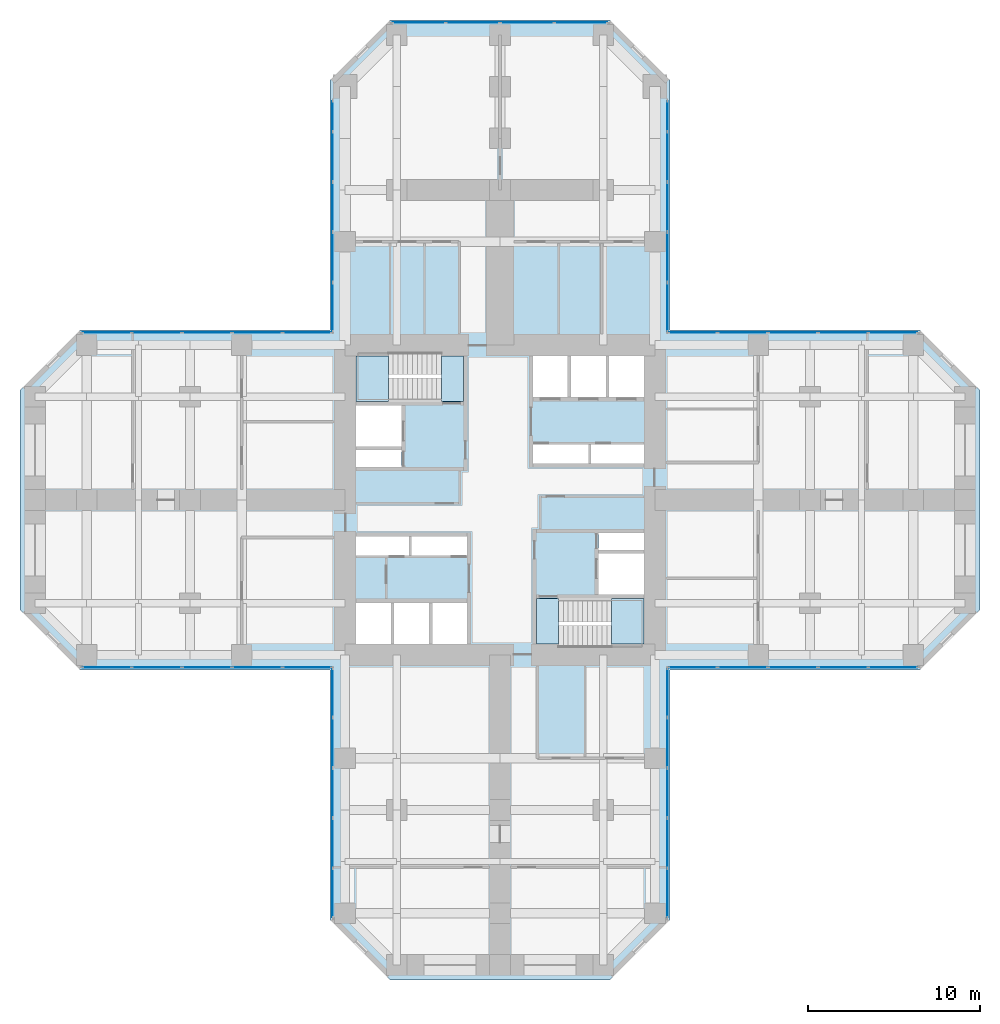
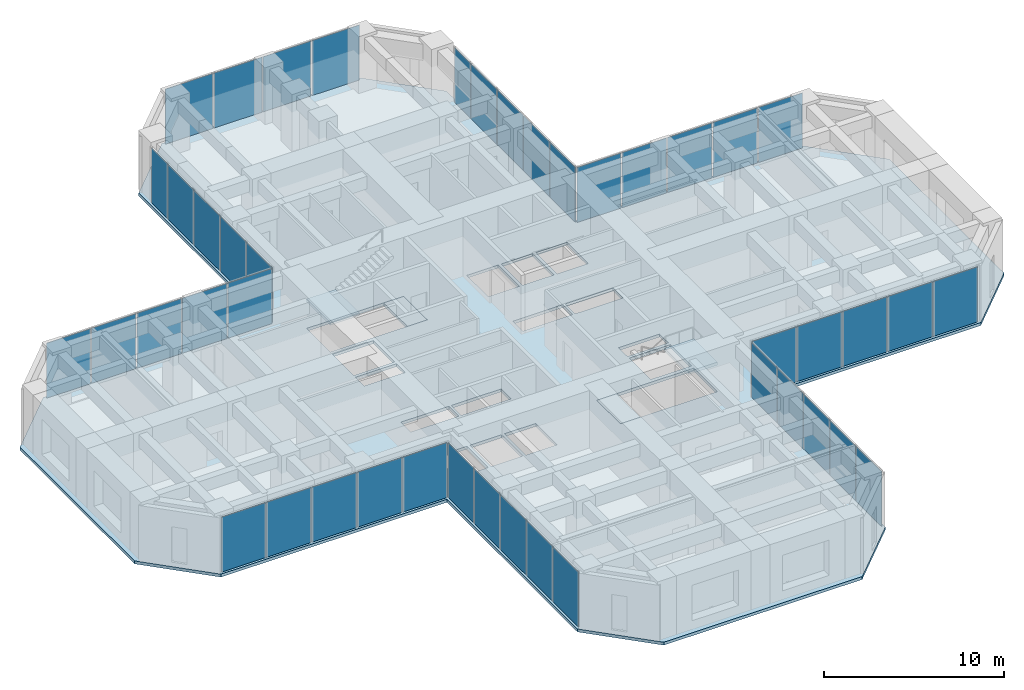
# One storey, part 7 of 12: 44 plates, 5 slabs, 11 elements without a shape of their own.
"""IFC4 building model written with IfcOpenShell, lengths in metres."""

from ifc_helpers import new_model, si_unit, direction, frame, origin, origin_2d, place, context, subcontext, project, spatial, polyline, rectangle, outline, extrude, material, layer, layer_set, type_object, element, aggregate, save


model = new_model("IFC4")

# Units and contexts
model_context = context("Model", 3, precision=1e-05, world=origin(), true_north=direction((0.0, 1.0)))
body_context = subcontext(model_context, "Body", "Model", "MODEL_VIEW")
ifc_project = project(units=[si_unit("LENGTHUNIT", "METRE"), si_unit("AREAUNIT", "SQUARE_METRE"), si_unit("VOLUMEUNIT", "CUBIC_METRE"), si_unit("PLANEANGLEUNIT", "RADIAN"), si_unit("MASSUNIT", "GRAM", prefix="KILO")], contexts=[model_context])

# Site, building, storey
site_placement = place(None, origin())
site = spatial("IfcSite", under=ifc_project, at=site_placement, CompositionType="ELEMENT")
building_placement = place(site_placement, origin())
building = spatial("IfcBuilding", under=site, at=building_placement, Name="Torre Cruceta", CompositionType="ELEMENT")
storey_placement = place(building_placement, frame((0.0, 0.0, 87.5)))
storey = spatial("IfcBuildingStorey", under=building, at=storey_placement, Name="L21", CompositionType="ELEMENT", Elevation=87.5)

# Curtain wall, plate
ifc_material_1 = material(Name="Aluminium unitised curtain wall", Category="aluminium")
curtain_wall_type = type_object("IfcCurtainWallType", Name="CURTAIN WALL CW-A OFFICE LOW RISE", PredefinedType="USERDEFINED", material=ifc_material_1)
curtain_wall_1_placement = place(storey_placement, origin())
curtain_wall_1 = element("IfcCurtainWall", 1, at=curtain_wall_1_placement, inside=storey, type_object=curtain_wall_type, Name="CW-A L21 E side 00", ObjectType="UNITISED", PredefinedType="USERDEFINED")
ifc_material_2 = material(Name="Laminated insulating glass unit, diagonal frit 50 %", Category="glass")
ifc_material_3 = material(Name="Laminated insulating glass unit, diagonal frit 50 %", Category="glass")
ifc_layer_1 = layer(ifc_material_3, 0.033935546875)
ifc_layer_set_1 = layer_set([ifc_layer_1], Name="Laminated insulating glass unit, diagonal frit 50 %")
plate_type_1 = type_object("IfcPlateType", Name="CW-A OPERABLE VENT PANEL 34", PredefinedType="CURTAIN_PANEL", material=ifc_layer_set_1)
plate_1_placement = place(storey_placement, frame((17.009033203125, -9.719970703125, 0.010009765625), z_axis=(0.0, 0.0, 1.0), x_axis=(1.0, 0.0, 0.0)))
plate_1 = element("IfcPlate", 2, at=plate_1_placement, type_object=plate_type_1, material=ifc_material_2, Name="CW-A vent 3", PredefinedType="CURTAIN_PANEL", context=body_context, shape_type="SweptSolid", body=[
    extrude(rectangle(XDim=2.8505859375, YDim=0.033935546875, at=origin_2d()), origin(), (0.0, 0.0, 1.0), 3.72509765625),
])

curtain_wall_2_placement = place(storey_placement, origin())
curtain_wall_2 = element("IfcCurtainWall", 3, at=curtain_wall_2_placement, inside=storey, type_object=curtain_wall_type, Name="CW-A L21 E side 04", ObjectType="UNITISED", PredefinedType="USERDEFINED")
plate_2_placement = place(storey_placement, frame((17.009033203125, 9.719970703125, 0.010009765625), z_axis=(0.0, 0.0, 1.0), x_axis=(-1.0, 0.0, 0.0)))
plate_2 = element("IfcPlate", 4, at=plate_2_placement, type_object=plate_type_1, material=ifc_material_2, Name="CW-A vent 3", PredefinedType="CURTAIN_PANEL", context=body_context, shape_type="SweptSolid", body=[
    extrude(rectangle(XDim=2.8505859375, YDim=0.033935546875, at=origin_2d()), origin(), (0.0, 0.0, 1.0), 3.72509765625),
])

curtain_wall_3_placement = place(storey_placement, origin())
curtain_wall_3 = element("IfcCurtainWall", 5, at=curtain_wall_3_placement, inside=storey, type_object=curtain_wall_type, Name="CW-A L21 N side 05", ObjectType="UNITISED", PredefinedType="USERDEFINED")
plate_3_placement = place(storey_placement, frame((9.719970703125, 17.009033203125, 0.010009765625), z_axis=(0.0, 0.0, 1.0), x_axis=(0.0, 1.0, 0.0)))
plate_3 = element("IfcPlate", 6, at=plate_3_placement, type_object=plate_type_1, material=ifc_material_2, Name="CW-A vent 3", PredefinedType="CURTAIN_PANEL", context=body_context, shape_type="SweptSolid", body=[
    extrude(rectangle(XDim=2.8505859375, YDim=0.033935546875, at=origin_2d()), origin(), (0.0, 0.0, 1.0), 3.72509765625),
])

curtain_wall_4_placement = place(storey_placement, origin())
curtain_wall_4 = element("IfcCurtainWall", 7, at=curtain_wall_4_placement, inside=storey, type_object=curtain_wall_type, Name="CW-A L21 N tip 07", ObjectType="UNITISED", PredefinedType="USERDEFINED")
plate_4_placement = place(storey_placement, frame((-1.574462890625, 27.719970703125, 0.010009765625), z_axis=(0.0, 0.0, 1.0), x_axis=(-1.0, 0.0, 0.0)))
plate_4 = element("IfcPlate", 8, at=plate_4_placement, type_object=plate_type_1, material=ifc_material_2, Name="CW-A vent 3", PredefinedType="CURTAIN_PANEL", context=body_context, shape_type="SweptSolid", body=[
    extrude(rectangle(XDim=3.084228515625, YDim=0.033935546875, at=origin_2d()), origin(), (0.0, 0.0, 1.0), 3.72509765625),
])

curtain_wall_5_placement = place(storey_placement, origin())
curtain_wall_5 = element("IfcCurtainWall", 9, at=curtain_wall_5_placement, inside=storey, type_object=curtain_wall_type, Name="CW-A L21 N side 09", ObjectType="UNITISED", PredefinedType="USERDEFINED")
plate_5_placement = place(storey_placement, frame((-9.719970703125, 17.009033203125, 0.010009765625), z_axis=(0.0, 0.0, 1.0), x_axis=(0.0, -1.0, 0.0)))
plate_5 = element("IfcPlate", 10, at=plate_5_placement, type_object=plate_type_1, material=ifc_material_2, Name="CW-A vent 3", PredefinedType="CURTAIN_PANEL", context=body_context, shape_type="SweptSolid", body=[
    extrude(rectangle(XDim=2.8505859375, YDim=0.033935546875, at=origin_2d()), origin(), (0.0, 0.0, 1.0), 3.72509765625),
])

curtain_wall_6_placement = place(storey_placement, origin())
curtain_wall_6 = element("IfcCurtainWall", 11, at=curtain_wall_6_placement, inside=storey, type_object=curtain_wall_type, Name="CW-A L21 W side 10", ObjectType="UNITISED", PredefinedType="USERDEFINED")
plate_6_placement = place(storey_placement, frame((-17.009033203125, 9.719970703125, 0.010009765625), z_axis=(0.0, 0.0, 1.0), x_axis=(-1.0, 0.0, 0.0)))
plate_6 = element("IfcPlate", 12, at=plate_6_placement, type_object=plate_type_1, material=ifc_material_2, Name="CW-A vent 3", PredefinedType="CURTAIN_PANEL", context=body_context, shape_type="SweptSolid", body=[
    extrude(rectangle(XDim=2.8505859375, YDim=0.033935546875, at=origin_2d()), origin(), (0.0, 0.0, 1.0), 3.72509765625),
])

curtain_wall_7_placement = place(storey_placement, origin())
curtain_wall_7 = element("IfcCurtainWall", 13, at=curtain_wall_7_placement, inside=storey, type_object=curtain_wall_type, Name="CW-A L21 W side 14", ObjectType="UNITISED", PredefinedType="USERDEFINED")
plate_7_placement = place(storey_placement, frame((-17.009033203125, -9.719970703125, 0.010009765625), z_axis=(0.0, 0.0, 1.0), x_axis=(1.0, 0.0, 0.0)))
plate_7 = element("IfcPlate", 14, at=plate_7_placement, type_object=plate_type_1, material=ifc_material_2, Name="CW-A vent 3", PredefinedType="CURTAIN_PANEL", context=body_context, shape_type="SweptSolid", body=[
    extrude(rectangle(XDim=2.8505859375, YDim=0.033935546875, at=origin_2d()), origin(), (0.0, 0.0, 1.0), 3.72509765625),
])

curtain_wall_8_placement = place(storey_placement, origin())
curtain_wall_8 = element("IfcCurtainWall", 15, at=curtain_wall_8_placement, inside=storey, type_object=curtain_wall_type, Name="CW-A L21 S side 15", ObjectType="UNITISED", PredefinedType="USERDEFINED")
plate_8_placement = place(storey_placement, frame((-9.719970703125, -17.009033203125, 0.010009765625), z_axis=(0.0, 0.0, 1.0), x_axis=(0.0, -1.0, 0.0)))
plate_8 = element("IfcPlate", 16, at=plate_8_placement, type_object=plate_type_1, material=ifc_material_2, Name="CW-A vent 3", PredefinedType="CURTAIN_PANEL", context=body_context, shape_type="SweptSolid", body=[
    extrude(rectangle(XDim=2.8505859375, YDim=0.033935546875, at=origin_2d()), origin(), (0.0, 0.0, 1.0), 3.72509765625),
])

curtain_wall_9_placement = place(storey_placement, origin())
curtain_wall_9 = element("IfcCurtainWall", 17, at=curtain_wall_9_placement, inside=storey, type_object=curtain_wall_type, Name="CW-A L21 S side 19", ObjectType="UNITISED", PredefinedType="USERDEFINED")
plate_9_placement = place(storey_placement, frame((9.719970703125, -17.009033203125, 0.010009765625), z_axis=(0.0, 0.0, 1.0), x_axis=(0.0, 1.0, 0.0)))
plate_9 = element("IfcPlate", 18, at=plate_9_placement, type_object=plate_type_1, material=ifc_material_2, Name="CW-A vent 3", PredefinedType="CURTAIN_PANEL", context=body_context, shape_type="SweptSolid", body=[
    extrude(rectangle(XDim=2.8505859375, YDim=0.033935546875, at=origin_2d()), origin(), (0.0, 0.0, 1.0), 3.72509765625),
])

# Plate
ifc_material_4 = material(Name="Laminated insulating glass unit, diagonal frit 50 %", Category="glass")
ifc_layer_2 = layer(ifc_material_4, 0.033935546875)
ifc_layer_set_2 = layer_set([ifc_layer_2], Name="Laminated insulating glass unit, diagonal frit 50 %")
plate_type_2 = type_object("IfcPlateType", Name="CW-A PANEL 34", PredefinedType="CURTAIN_PANEL", material=ifc_layer_set_2)
plate_10_placement = place(storey_placement, frame((11.194091796875, -9.719970703125, 0.010009765625), z_axis=(0.0, 0.0, 1.0), x_axis=(1.0, 0.0, 0.0)))
plate_10 = element("IfcPlate", 19, at=plate_10_placement, type_object=plate_type_2, material=ifc_material_2, Name="CW-A panel 1", PredefinedType="CURTAIN_PANEL", context=body_context, shape_type="SweptSolid", body=[
    extrude(rectangle(XDim=2.818115234375, YDim=0.033935546875, at=origin_2d()), origin(), (0.0, 0.0, 1.0), 3.72509765625),
])

plate_11_placement = place(storey_placement, frame((14.093505859375, -9.719970703125, 0.010009765625), z_axis=(0.0, 0.0, 1.0), x_axis=(1.0, 0.0, 0.0)))
plate_11 = element("IfcPlate", 20, at=plate_11_placement, type_object=plate_type_2, material=ifc_material_2, Name="CW-A panel 2", PredefinedType="CURTAIN_PANEL", context=body_context, shape_type="SweptSolid", body=[
    extrude(rectangle(XDim=2.8505859375, YDim=0.033935546875, at=origin_2d()), origin(), (0.0, 0.0, 1.0), 3.72509765625),
])

ifc_material_5 = material(Name="Laminated insulating glass unit, low-iron clear", Category="glass")
plate_12_placement = place(storey_placement, frame((19.9248046875, -9.719970703125, 0.010009765625), z_axis=(0.0, 0.0, 1.0), x_axis=(1.0, 0.0, 0.0)))
plate_12 = element("IfcPlate", 21, at=plate_12_placement, type_object=plate_type_2, material=ifc_material_5, Name="CW-A panel 4", PredefinedType="CURTAIN_PANEL", context=body_context, shape_type="SweptSolid", body=[
    extrude(rectangle(XDim=2.8505859375, YDim=0.033935546875, at=origin_2d()), origin(), (0.0, 0.0, 1.0), 3.72509765625),
])

plate_13_placement = place(storey_placement, frame((22.82421875, -9.719970703125, 0.010009765625), z_axis=(0.0, 0.0, 1.0), x_axis=(1.0, 0.0, 0.0)))
plate_13 = element("IfcPlate", 22, at=plate_13_placement, type_object=plate_type_2, material=ifc_material_5, Name="CW-A panel 5", PredefinedType="CURTAIN_PANEL", context=body_context, shape_type="SweptSolid", body=[
    extrude(rectangle(XDim=2.818115234375, YDim=0.033935546875, at=origin_2d()), origin(), (0.0, 0.0, 1.0), 3.72509765625),
])

aggregate(curtain_wall_1, [plate_10, plate_11, plate_1, plate_12, plate_13])

plate_14_placement = place(storey_placement, frame((22.82421875, 9.719970703125, 0.010009765625), z_axis=(0.0, 0.0, 1.0), x_axis=(-1.0, 0.0, 0.0)))
plate_14 = element("IfcPlate", 23, at=plate_14_placement, type_object=plate_type_2, material=ifc_material_2, Name="CW-A panel 1", PredefinedType="CURTAIN_PANEL", context=body_context, shape_type="SweptSolid", body=[
    extrude(rectangle(XDim=2.818115234375, YDim=0.033935546875, at=origin_2d()), origin(), (0.0, 0.0, 1.0), 3.72509765625),
])

plate_15_placement = place(storey_placement, frame((19.9248046875, 9.719970703125, 0.010009765625), z_axis=(0.0, 0.0, 1.0), x_axis=(-1.0, 0.0, 0.0)))
plate_15 = element("IfcPlate", 24, at=plate_15_placement, type_object=plate_type_2, material=ifc_material_2, Name="CW-A panel 2", PredefinedType="CURTAIN_PANEL", context=body_context, shape_type="SweptSolid", body=[
    extrude(rectangle(XDim=2.8505859375, YDim=0.033935546875, at=origin_2d()), origin(), (0.0, 0.0, 1.0), 3.72509765625),
])

plate_16_placement = place(storey_placement, frame((14.093505859375, 9.719970703125, 0.010009765625), z_axis=(0.0, 0.0, 1.0), x_axis=(-1.0, 0.0, 0.0)))
plate_16 = element("IfcPlate", 25, at=plate_16_placement, type_object=plate_type_2, material=ifc_material_5, Name="CW-A panel 4", PredefinedType="CURTAIN_PANEL", context=body_context, shape_type="SweptSolid", body=[
    extrude(rectangle(XDim=2.8505859375, YDim=0.033935546875, at=origin_2d()), origin(), (0.0, 0.0, 1.0), 3.72509765625),
])

plate_17_placement = place(storey_placement, frame((11.194091796875, 9.719970703125, 0.010009765625), z_axis=(0.0, 0.0, 1.0), x_axis=(-1.0, 0.0, 0.0)))
plate_17 = element("IfcPlate", 26, at=plate_17_placement, type_object=plate_type_2, material=ifc_material_5, Name="CW-A panel 5", PredefinedType="CURTAIN_PANEL", context=body_context, shape_type="SweptSolid", body=[
    extrude(rectangle(XDim=2.818115234375, YDim=0.033935546875, at=origin_2d()), origin(), (0.0, 0.0, 1.0), 3.72509765625),
])

aggregate(curtain_wall_2, [plate_14, plate_15, plate_2, plate_16, plate_17])

plate_18_placement = place(storey_placement, frame((9.719970703125, 11.194091796875, 0.010009765625), z_axis=(0.0, 0.0, 1.0), x_axis=(0.0, 1.0, 0.0)))
plate_18 = element("IfcPlate", 27, at=plate_18_placement, type_object=plate_type_2, material=ifc_material_2, Name="CW-A panel 1", PredefinedType="CURTAIN_PANEL", context=body_context, shape_type="SweptSolid", body=[
    extrude(rectangle(XDim=2.818115234375, YDim=0.033935546875, at=origin_2d()), origin(), (0.0, 0.0, 1.0), 3.72509765625),
])

plate_19_placement = place(storey_placement, frame((9.719970703125, 14.093505859375, 0.010009765625), z_axis=(0.0, 0.0, 1.0), x_axis=(0.0, 1.0, 0.0)))
plate_19 = element("IfcPlate", 28, at=plate_19_placement, type_object=plate_type_2, material=ifc_material_2, Name="CW-A panel 2", PredefinedType="CURTAIN_PANEL", context=body_context, shape_type="SweptSolid", body=[
    extrude(rectangle(XDim=2.8505859375, YDim=0.033935546875, at=origin_2d()), origin(), (0.0, 0.0, 1.0), 3.72509765625),
])

plate_20_placement = place(storey_placement, frame((9.719970703125, 19.9248046875, 0.010009765625), z_axis=(0.0, 0.0, 1.0), x_axis=(0.0, 1.0, 0.0)))
plate_20 = element("IfcPlate", 29, at=plate_20_placement, type_object=plate_type_2, material=ifc_material_5, Name="CW-A panel 4", PredefinedType="CURTAIN_PANEL", context=body_context, shape_type="SweptSolid", body=[
    extrude(rectangle(XDim=2.8505859375, YDim=0.033935546875, at=origin_2d()), origin(), (0.0, 0.0, 1.0), 3.72509765625),
])

plate_21_placement = place(storey_placement, frame((9.719970703125, 22.290771484375, 0.010009765625), z_axis=(0.0, 0.0, 1.0), x_axis=(0.0, 1.0, 0.0)))
plate_21 = element("IfcPlate", 30, at=plate_21_placement, type_object=plate_type_2, material=ifc_material_5, Name="CW-A panel 5", PredefinedType="CURTAIN_PANEL", context=body_context, shape_type="SweptSolid", body=[
    extrude(rectangle(XDim=1.75146484375, YDim=0.033935546875, at=origin_2d()), origin(), (0.0, 0.0, 1.0), 3.72509765625),
])

aggregate(curtain_wall_3, [plate_18, plate_19, plate_3, plate_20, plate_21])

plate_22_placement = place(storey_placement, frame((4.70751953125, 27.719970703125, 0.010009765625), z_axis=(0.0, 0.0, 1.0), x_axis=(-1.0, 0.0, 0.0)))
plate_22 = element("IfcPlate", 31, at=plate_22_placement, type_object=plate_type_2, material=ifc_material_2, Name="CW-A panel 1", PredefinedType="CURTAIN_PANEL", context=body_context, shape_type="SweptSolid", body=[
    extrude(rectangle(XDim=3.051513671875, YDim=0.033935546875, at=origin_2d()), origin(), (0.0, 0.0, 1.0), 3.72509765625),
])

plate_23_placement = place(storey_placement, frame((1.574462890625, 27.719970703125, 0.010009765625), z_axis=(0.0, 0.0, 1.0), x_axis=(-1.0, 0.0, 0.0)))
plate_23 = element("IfcPlate", 32, at=plate_23_placement, type_object=plate_type_2, material=ifc_material_2, Name="CW-A panel 2", PredefinedType="CURTAIN_PANEL", context=body_context, shape_type="SweptSolid", body=[
    extrude(rectangle(XDim=3.084228515625, YDim=0.033935546875, at=origin_2d()), origin(), (0.0, 0.0, 1.0), 3.72509765625),
])

plate_24_placement = place(storey_placement, frame((-4.70751953125, 27.719970703125, 0.010009765625), z_axis=(0.0, 0.0, 1.0), x_axis=(-1.0, 0.0, 0.0)))
plate_24 = element("IfcPlate", 33, at=plate_24_placement, type_object=plate_type_2, material=ifc_material_5, Name="CW-A panel 4", PredefinedType="CURTAIN_PANEL", context=body_context, shape_type="SweptSolid", body=[
    extrude(rectangle(XDim=3.051513671875, YDim=0.033935546875, at=origin_2d()), origin(), (0.0, 0.0, 1.0), 3.72509765625),
])

aggregate(curtain_wall_4, [plate_22, plate_23, plate_4, plate_24])

plate_25_placement = place(storey_placement, frame((-9.719970703125, 22.290771484375, 0.010009765625), z_axis=(0.0, 0.0, 1.0), x_axis=(0.0, -1.0, 0.0)))
plate_25 = element("IfcPlate", 34, at=plate_25_placement, type_object=plate_type_2, material=ifc_material_2, Name="CW-A panel 1", PredefinedType="CURTAIN_PANEL", context=body_context, shape_type="SweptSolid", body=[
    extrude(rectangle(XDim=1.75146484375, YDim=0.033935546875, at=origin_2d()), origin(), (0.0, 0.0, 1.0), 3.72509765625),
])

plate_26_placement = place(storey_placement, frame((-9.719970703125, 19.9248046875, 0.010009765625), z_axis=(0.0, 0.0, 1.0), x_axis=(0.0, -1.0, 0.0)))
plate_26 = element("IfcPlate", 35, at=plate_26_placement, type_object=plate_type_2, material=ifc_material_2, Name="CW-A panel 2", PredefinedType="CURTAIN_PANEL", context=body_context, shape_type="SweptSolid", body=[
    extrude(rectangle(XDim=2.8505859375, YDim=0.033935546875, at=origin_2d()), origin(), (0.0, 0.0, 1.0), 3.72509765625),
])

plate_27_placement = place(storey_placement, frame((-9.719970703125, 14.093505859375, 0.010009765625), z_axis=(0.0, 0.0, 1.0), x_axis=(0.0, -1.0, 0.0)))
plate_27 = element("IfcPlate", 36, at=plate_27_placement, type_object=plate_type_2, material=ifc_material_5, Name="CW-A panel 4", PredefinedType="CURTAIN_PANEL", context=body_context, shape_type="SweptSolid", body=[
    extrude(rectangle(XDim=2.8505859375, YDim=0.033935546875, at=origin_2d()), origin(), (0.0, 0.0, 1.0), 3.72509765625),
])

plate_28_placement = place(storey_placement, frame((-9.719970703125, 11.194091796875, 0.010009765625), z_axis=(0.0, 0.0, 1.0), x_axis=(0.0, -1.0, 0.0)))
plate_28 = element("IfcPlate", 37, at=plate_28_placement, type_object=plate_type_2, material=ifc_material_5, Name="CW-A panel 5", PredefinedType="CURTAIN_PANEL", context=body_context, shape_type="SweptSolid", body=[
    extrude(rectangle(XDim=2.818115234375, YDim=0.033935546875, at=origin_2d()), origin(), (0.0, 0.0, 1.0), 3.72509765625),
])

aggregate(curtain_wall_5, [plate_25, plate_26, plate_5, plate_27, plate_28])

plate_29_placement = place(storey_placement, frame((-11.194091796875, 9.719970703125, 0.010009765625), z_axis=(0.0, 0.0, 1.0), x_axis=(-1.0, 0.0, 0.0)))
plate_29 = element("IfcPlate", 38, at=plate_29_placement, type_object=plate_type_2, material=ifc_material_2, Name="CW-A panel 1", PredefinedType="CURTAIN_PANEL", context=body_context, shape_type="SweptSolid", body=[
    extrude(rectangle(XDim=2.818115234375, YDim=0.033935546875, at=origin_2d()), origin(), (0.0, 0.0, 1.0), 3.72509765625),
])

plate_30_placement = place(storey_placement, frame((-14.093505859375, 9.719970703125, 0.010009765625), z_axis=(0.0, 0.0, 1.0), x_axis=(-1.0, 0.0, 0.0)))
plate_30 = element("IfcPlate", 39, at=plate_30_placement, type_object=plate_type_2, material=ifc_material_2, Name="CW-A panel 2", PredefinedType="CURTAIN_PANEL", context=body_context, shape_type="SweptSolid", body=[
    extrude(rectangle(XDim=2.8505859375, YDim=0.033935546875, at=origin_2d()), origin(), (0.0, 0.0, 1.0), 3.72509765625),
])

plate_31_placement = place(storey_placement, frame((-19.9248046875, 9.719970703125, 0.010009765625), z_axis=(0.0, 0.0, 1.0), x_axis=(-1.0, 0.0, 0.0)))
plate_31 = element("IfcPlate", 40, at=plate_31_placement, type_object=plate_type_2, material=ifc_material_5, Name="CW-A panel 4", PredefinedType="CURTAIN_PANEL", context=body_context, shape_type="SweptSolid", body=[
    extrude(rectangle(XDim=2.8505859375, YDim=0.033935546875, at=origin_2d()), origin(), (0.0, 0.0, 1.0), 3.72509765625),
])

plate_32_placement = place(storey_placement, frame((-22.82421875, 9.719970703125, 0.010009765625), z_axis=(0.0, 0.0, 1.0), x_axis=(-1.0, 0.0, 0.0)))
plate_32 = element("IfcPlate", 41, at=plate_32_placement, type_object=plate_type_2, material=ifc_material_5, Name="CW-A panel 5", PredefinedType="CURTAIN_PANEL", context=body_context, shape_type="SweptSolid", body=[
    extrude(rectangle(XDim=2.818115234375, YDim=0.033935546875, at=origin_2d()), origin(), (0.0, 0.0, 1.0), 3.72509765625),
])

aggregate(curtain_wall_6, [plate_29, plate_30, plate_6, plate_31, plate_32])

plate_33_placement = place(storey_placement, frame((-22.82421875, -9.719970703125, 0.010009765625), z_axis=(0.0, 0.0, 1.0), x_axis=(1.0, 0.0, 0.0)))
plate_33 = element("IfcPlate", 42, at=plate_33_placement, type_object=plate_type_2, material=ifc_material_2, Name="CW-A panel 1", PredefinedType="CURTAIN_PANEL", context=body_context, shape_type="SweptSolid", body=[
    extrude(rectangle(XDim=2.818115234375, YDim=0.033935546875, at=origin_2d()), origin(), (0.0, 0.0, 1.0), 3.72509765625),
])

plate_34_placement = place(storey_placement, frame((-19.9248046875, -9.719970703125, 0.010009765625), z_axis=(0.0, 0.0, 1.0), x_axis=(1.0, 0.0, 0.0)))
plate_34 = element("IfcPlate", 43, at=plate_34_placement, type_object=plate_type_2, material=ifc_material_2, Name="CW-A panel 2", PredefinedType="CURTAIN_PANEL", context=body_context, shape_type="SweptSolid", body=[
    extrude(rectangle(XDim=2.8505859375, YDim=0.033935546875, at=origin_2d()), origin(), (0.0, 0.0, 1.0), 3.72509765625),
])

plate_35_placement = place(storey_placement, frame((-14.093505859375, -9.719970703125, 0.010009765625), z_axis=(0.0, 0.0, 1.0), x_axis=(1.0, 0.0, 0.0)))
plate_35 = element("IfcPlate", 44, at=plate_35_placement, type_object=plate_type_2, material=ifc_material_5, Name="CW-A panel 4", PredefinedType="CURTAIN_PANEL", context=body_context, shape_type="SweptSolid", body=[
    extrude(rectangle(XDim=2.8505859375, YDim=0.033935546875, at=origin_2d()), origin(), (0.0, 0.0, 1.0), 3.72509765625),
])

plate_36_placement = place(storey_placement, frame((-11.194091796875, -9.719970703125, 0.010009765625), z_axis=(0.0, 0.0, 1.0), x_axis=(1.0, 0.0, 0.0)))
plate_36 = element("IfcPlate", 45, at=plate_36_placement, type_object=plate_type_2, material=ifc_material_5, Name="CW-A panel 5", PredefinedType="CURTAIN_PANEL", context=body_context, shape_type="SweptSolid", body=[
    extrude(rectangle(XDim=2.818115234375, YDim=0.033935546875, at=origin_2d()), origin(), (0.0, 0.0, 1.0), 3.72509765625),
])

aggregate(curtain_wall_7, [plate_33, plate_34, plate_7, plate_35, plate_36])

plate_37_placement = place(storey_placement, frame((-9.719970703125, -11.194091796875, 0.010009765625), z_axis=(0.0, 0.0, 1.0), x_axis=(0.0, -1.0, 0.0)))
plate_37 = element("IfcPlate", 46, at=plate_37_placement, type_object=plate_type_2, material=ifc_material_2, Name="CW-A panel 1", PredefinedType="CURTAIN_PANEL", context=body_context, shape_type="SweptSolid", body=[
    extrude(rectangle(XDim=2.818115234375, YDim=0.033935546875, at=origin_2d()), origin(), (0.0, 0.0, 1.0), 3.72509765625),
])

plate_38_placement = place(storey_placement, frame((-9.719970703125, -14.093505859375, 0.010009765625), z_axis=(0.0, 0.0, 1.0), x_axis=(0.0, -1.0, 0.0)))
plate_38 = element("IfcPlate", 47, at=plate_38_placement, type_object=plate_type_2, material=ifc_material_2, Name="CW-A panel 2", PredefinedType="CURTAIN_PANEL", context=body_context, shape_type="SweptSolid", body=[
    extrude(rectangle(XDim=2.8505859375, YDim=0.033935546875, at=origin_2d()), origin(), (0.0, 0.0, 1.0), 3.72509765625),
])

plate_39_placement = place(storey_placement, frame((-9.719970703125, -19.9248046875, 0.010009765625), z_axis=(0.0, 0.0, 1.0), x_axis=(0.0, -1.0, 0.0)))
plate_39 = element("IfcPlate", 48, at=plate_39_placement, type_object=plate_type_2, material=ifc_material_5, Name="CW-A panel 4", PredefinedType="CURTAIN_PANEL", context=body_context, shape_type="SweptSolid", body=[
    extrude(rectangle(XDim=2.8505859375, YDim=0.033935546875, at=origin_2d()), origin(), (0.0, 0.0, 1.0), 3.72509765625),
])

plate_40_placement = place(storey_placement, frame((-9.719970703125, -22.82421875, 0.010009765625), z_axis=(0.0, 0.0, 1.0), x_axis=(0.0, -1.0, 0.0)))
plate_40 = element("IfcPlate", 49, at=plate_40_placement, type_object=plate_type_2, material=ifc_material_5, Name="CW-A panel 5", PredefinedType="CURTAIN_PANEL", context=body_context, shape_type="SweptSolid", body=[
    extrude(rectangle(XDim=2.818115234375, YDim=0.033935546875, at=origin_2d()), origin(), (0.0, 0.0, 1.0), 3.72509765625),
])

aggregate(curtain_wall_8, [plate_37, plate_38, plate_8, plate_39, plate_40])

plate_41_placement = place(storey_placement, frame((9.719970703125, -22.82421875, 0.010009765625), z_axis=(0.0, 0.0, 1.0), x_axis=(0.0, 1.0, 0.0)))
plate_41 = element("IfcPlate", 50, at=plate_41_placement, type_object=plate_type_2, material=ifc_material_2, Name="CW-A panel 1", PredefinedType="CURTAIN_PANEL", context=body_context, shape_type="SweptSolid", body=[
    extrude(rectangle(XDim=2.818115234375, YDim=0.033935546875, at=origin_2d()), origin(), (0.0, 0.0, 1.0), 3.72509765625),
])

plate_42_placement = place(storey_placement, frame((9.719970703125, -19.9248046875, 0.010009765625), z_axis=(0.0, 0.0, 1.0), x_axis=(0.0, 1.0, 0.0)))
plate_42 = element("IfcPlate", 51, at=plate_42_placement, type_object=plate_type_2, material=ifc_material_2, Name="CW-A panel 2", PredefinedType="CURTAIN_PANEL", context=body_context, shape_type="SweptSolid", body=[
    extrude(rectangle(XDim=2.8505859375, YDim=0.033935546875, at=origin_2d()), origin(), (0.0, 0.0, 1.0), 3.72509765625),
])

plate_43_placement = place(storey_placement, frame((9.719970703125, -14.093505859375, 0.010009765625), z_axis=(0.0, 0.0, 1.0), x_axis=(0.0, 1.0, 0.0)))
plate_43 = element("IfcPlate", 52, at=plate_43_placement, type_object=plate_type_2, material=ifc_material_5, Name="CW-A panel 4", PredefinedType="CURTAIN_PANEL", context=body_context, shape_type="SweptSolid", body=[
    extrude(rectangle(XDim=2.8505859375, YDim=0.033935546875, at=origin_2d()), origin(), (0.0, 0.0, 1.0), 3.72509765625),
])

plate_44_placement = place(storey_placement, frame((9.719970703125, -11.194091796875, 0.010009765625), z_axis=(0.0, 0.0, 1.0), x_axis=(0.0, 1.0, 0.0)))
plate_44 = element("IfcPlate", 53, at=plate_44_placement, type_object=plate_type_2, material=ifc_material_5, Name="CW-A panel 5", PredefinedType="CURTAIN_PANEL", context=body_context, shape_type="SweptSolid", body=[
    extrude(rectangle(XDim=2.818115234375, YDim=0.033935546875, at=origin_2d()), origin(), (0.0, 0.0, 1.0), 3.72509765625),
])

aggregate(curtain_wall_9, [plate_41, plate_42, plate_9, plate_43, plate_44])

# Slab
ifc_material_6 = material(Name="Concrete G35 (fck 35 MPa)", Category="concrete")
ifc_layer_3 = layer(ifc_material_6, 0.199951171875)
ifc_layer_set_3 = layer_set([ifc_layer_3], Name="Concrete G35 (fck 35 MPa)")
slab_type_1 = type_object("IfcSlabType", Name="FLOOR SLAB 200", PredefinedType="FLOOR", material=ifc_layer_set_3)
slab_1_placement = place(storey_placement, frame((0.0, 0.0, -0.199951171875)))
element("IfcSlab", 54, at=slab_1_placement, inside=storey, type_object=slab_type_1, Name="Floor Slab L21", PredefinedType="FLOOR", context=body_context, shape_type="SweptSolid", body=[
    extrude(outline(polyline([(9.8701171875, -9.8701171875), (9.8701171875, -24.3603515625), (6.3603515625, -27.8701171875), (-6.3603515625, -27.8701171875), (-9.8701171875, -24.3603515625), (-9.8701171875, -9.8701171875), (-24.3603515625, -9.8701171875), (-27.8701171875, -6.3603515625), (-27.8701171875, 6.3603515625), (-24.3603515625, 9.8701171875), (-9.8701171875, 9.8701171875), (-9.8701171875, 24.3603515625), (-6.3603515625, 27.8701171875), (6.3603515625, 27.8701171875), (9.8701171875, 24.3603515625), (9.8701171875, 9.8701171875), (24.3603515625, 9.8701171875), (27.8701171875, 6.3603515625), (27.8701171875, -6.3603515625), (24.3603515625, -9.8701171875), (9.8701171875, -9.8701171875)]), holes=[polyline([(1.925048828125, 5.97509765625), (3.933349609375, 5.97509765625), (3.933349609375, 8.35009765625), (1.925048828125, 8.35009765625), (1.925048828125, 5.97509765625)]), polyline([(4.13330078125, 5.97509765625), (6.1416015625, 5.97509765625), (6.1416015625, 8.35009765625), (4.13330078125, 8.35009765625), (4.13330078125, 5.97509765625)]), polyline([(6.341552734375, 5.97509765625), (8.35009765625, 5.97509765625), (8.35009765625, 8.35009765625), (6.341552734375, 8.35009765625), (6.341552734375, 5.97509765625)]), polyline([(1.925048828125, 2.125), (5.125, 2.125), (5.125, 3.22509765625), (1.925048828125, 3.22509765625), (1.925048828125, 2.125)]), polyline([(5.27490234375, 2.125), (8.35009765625, 2.125), (8.35009765625, 3.22509765625), (5.27490234375, 3.22509765625), (5.27490234375, 2.125)]), polyline([(-8.35009765625, 3.10009765625), (-5.72509765625, 3.10009765625), (-5.72509765625, 5.47509765625), (-8.35009765625, 5.47509765625), (-8.35009765625, 3.10009765625)]), polyline([(-8.35009765625, 1.925048828125), (-5.72509765625, 1.925048828125), (-5.72509765625, 2.89990234375), (-8.35009765625, 2.89990234375), (-8.35009765625, 1.925048828125)]), polyline([(-3.933349609375, -8.35009765625), (-1.925048828125, -8.35009765625), (-1.925048828125, -5.97509765625), (-3.933349609375, -5.97509765625), (-3.933349609375, -8.35009765625)]), polyline([(-6.1416015625, -8.35009765625), (-4.13330078125, -8.35009765625), (-4.13330078125, -5.97509765625), (-6.1416015625, -5.97509765625), (-6.1416015625, -8.35009765625)]), polyline([(-8.35009765625, -8.35009765625), (-6.341552734375, -8.35009765625), (-6.341552734375, -5.97509765625), (-8.35009765625, -5.97509765625), (-8.35009765625, -8.35009765625)]), polyline([(-5.125, -3.22509765625), (-1.925048828125, -3.22509765625), (-1.925048828125, -2.125), (-5.125, -2.125), (-5.125, -3.22509765625)]), polyline([(-8.35009765625, -3.22509765625), (-5.27490234375, -3.22509765625), (-5.27490234375, -2.125), (-8.35009765625, -2.125), (-8.35009765625, -3.22509765625)]), polyline([(5.72509765625, -5.47509765625), (8.35009765625, -5.47509765625), (8.35009765625, -3.10009765625), (5.72509765625, -3.10009765625), (5.72509765625, -5.47509765625)]), polyline([(5.72509765625, -2.89990234375), (8.35009765625, -2.89990234375), (8.35009765625, -1.925048828125), (5.72509765625, -1.925048828125), (5.72509765625, -2.89990234375)]), polyline([(-8.35009765625, 5.72509765625), (-8.35009765625, 8.35009765625), (-3.39990234375, 8.35009765625), (-2.125, 8.35009765625), (-2.125, 5.72509765625), (-3.39990234375, 5.72509765625), (-8.35009765625, 5.72509765625)]), polyline([(2.125, -5.72509765625), (3.39990234375, -5.72509765625), (8.35009765625, -5.72509765625), (8.35009765625, -8.35009765625), (3.39990234375, -8.35009765625), (2.125, -8.35009765625), (2.125, -5.72509765625)])]), origin(), (0.0, 0.0, 1.0), 0.199951171875),
])

# Stair, slab
ifc_material_7 = material(Name="Concrete G30 (fck 30 MPa)", Category="concrete")
stair_type = type_object("IfcStairType", Name="STAIR HALF-TURN 1300", PredefinedType="HALF_TURN_STAIR", material=ifc_material_7)
stair_1_placement = place(storey_placement, origin())
stair_1 = element("IfcStair", 55, at=stair_1_placement, inside=storey, type_object=stair_type, Name="Stair ST1 L21", PredefinedType="HALF_TURN_STAIR")
ifc_material_8 = material(Name="Concrete G30 (fck 30 MPa)", Category="concrete")
ifc_layer_4 = layer(ifc_material_8, 0.199951171875)
ifc_layer_set_4 = layer_set([ifc_layer_4], Name="Concrete G30 (fck 30 MPa)")
slab_type_2 = type_object("IfcSlabType", Name="STAIR LANDING 200", PredefinedType="LANDING", material=ifc_layer_set_4)
slab_2_placement = place(storey_placement, frame((0.0, 0.0, 1.800048828125)))
slab_2 = element("IfcSlab", 56, at=slab_2_placement, type_object=slab_type_2, Name="ST1 landing 1", PredefinedType="LANDING", context=body_context, shape_type="SweptSolid", body=[
    extrude(outline(polyline([(-8.35009765625, 5.72509765625), (-6.47998046875, 5.72509765625), (-6.47998046875, 8.35009765625), (-8.35009765625, 8.35009765625), (-8.35009765625, 5.72509765625)])), origin(), (0.0, 0.0, 1.0), 0.199951171875),
])
aggregate(stair_1, [slab_2])

stair_2_placement = place(storey_placement, origin())
stair_2 = element("IfcStair", 57, at=stair_2_placement, inside=storey, type_object=stair_type, Name="Stair ST2 L21", PredefinedType="HALF_TURN_STAIR")
slab_3_placement = place(storey_placement, frame((0.0, 0.0, 1.800048828125)))
slab_3 = element("IfcSlab", 58, at=slab_3_placement, type_object=slab_type_2, Name="ST2 landing 1", PredefinedType="LANDING", context=body_context, shape_type="SweptSolid", body=[
    extrude(outline(polyline([(6.47998046875, -8.35009765625), (8.35009765625, -8.35009765625), (8.35009765625, -5.72509765625), (6.47998046875, -5.72509765625), (6.47998046875, -8.35009765625)])), origin(), (0.0, 0.0, 1.0), 0.199951171875),
])
aggregate(stair_2, [slab_3])

# Slabs
slab_4_placement = place(storey_placement, frame((0.0, 0.0, -0.199951171875)))
element("IfcSlab", 59, at=slab_4_placement, inside=storey, type_object=slab_type_2, Name="Stair ST1 floor landing L21", PredefinedType="LANDING", context=body_context, shape_type="SweptSolid", body=[
    extrude(outline(polyline([(-2.125, 8.35009765625), (-2.125, 5.72509765625), (-3.39990234375, 5.72509765625), (-3.39990234375, 8.35009765625), (-2.125, 8.35009765625)])), origin(), (0.0, 0.0, 1.0), 0.199951171875),
])
slab_5_placement = place(storey_placement, frame((0.0, 0.0, -0.199951171875)))
element("IfcSlab", 60, at=slab_5_placement, inside=storey, type_object=slab_type_2, Name="Stair ST2 floor landing L21", PredefinedType="LANDING", context=body_context, shape_type="SweptSolid", body=[
    extrude(outline(polyline([(2.125, -8.35009765625), (2.125, -5.72509765625), (3.39990234375, -5.72509765625), (3.39990234375, -8.35009765625), (2.125, -8.35009765625)])), origin(), (0.0, 0.0, 1.0), 0.199951171875),
])

save(model, "model.ifc")
